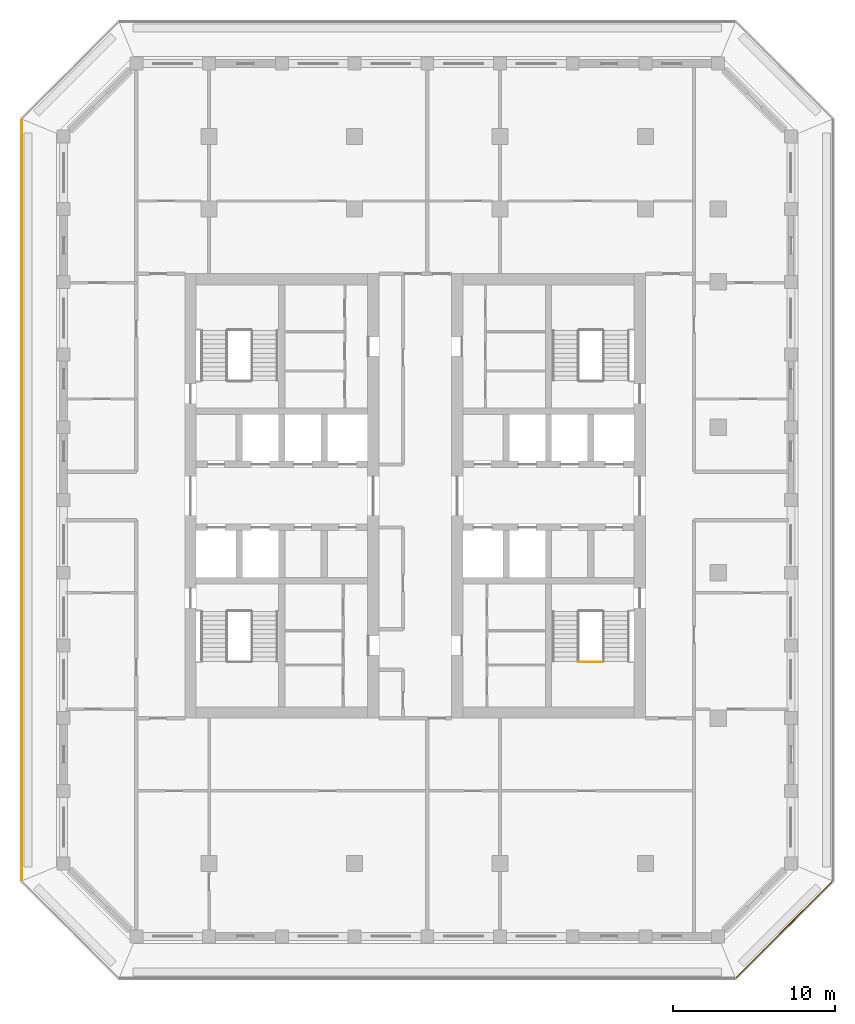
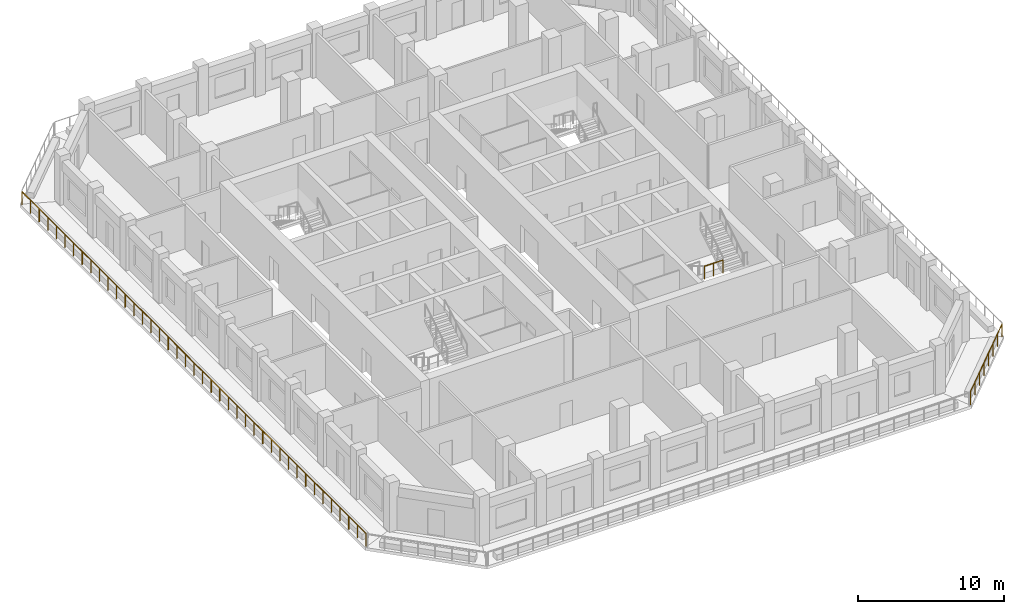
# One storey, part 11 of 17: 3 railings.
"""IFC4 building model written with IfcOpenShell, lengths in metres."""

from ifc_helpers import new_model, si_unit, direction, frame, origin, origin_2d, place, context, subcontext, project, spatial, circle, extrude, material, type_object, element, save


model = new_model("IFC4")

# Units and contexts
model_context = context("Model", 3, precision=1e-05, world=origin(), true_north=direction((0.0, 1.0)))
body_context = subcontext(model_context, "Body", "Model", "MODEL_VIEW")
ifc_project = project(units=[si_unit("LENGTHUNIT", "METRE"), si_unit("AREAUNIT", "SQUARE_METRE"), si_unit("VOLUMEUNIT", "CUBIC_METRE"), si_unit("PLANEANGLEUNIT", "RADIAN"), si_unit("MASSUNIT", "GRAM", prefix="KILO")], contexts=[model_context])

# Site, building, storey
site_placement = place(None, origin())
site = spatial("IfcSite", under=ifc_project, at=site_placement, CompositionType="ELEMENT")
building_placement = place(site_placement, origin())
building = spatial("IfcBuilding", under=site, at=building_placement, Name="Corbel Stack Research Tower", CompositionType="ELEMENT")
storey_placement = place(building_placement, frame((0.0, 0.0, 243.89990234375)))
storey = spatial("IfcBuildingStorey", under=building, at=storey_placement, Name="L55", CompositionType="ELEMENT", Elevation=243.89990234375)

# Railings
ifc_material_1 = material(Name="Steel S355", Category="steel")
railing_type_1 = type_object("IfcRailingType", Name="Stair guard 1100", PredefinedType="GUARDRAIL", material=ifc_material_1)
railing_1_placement = place(storey_placement, frame((13.89990234375, -5.530029296875, 2.050048828125)))
element("IfcRailing", 1, at=railing_1_placement, inside=storey, type_object=railing_type_1, Name="L55 ST-E1 stair guard 2", PredefinedType="GUARDRAIL", context=body_context, shape_type="SweptSolid", body=[
    extrude(circle(Radius=0.02392578125, at=origin_2d()), frame((0.0, 0.0, 1.076171875), z_axis=(1.0, 0.0, 0.0), x_axis=(0.0, 1.0, 0.0)), (0.0, 0.0, 1.0), 1.4501953125),
    extrude(circle(Radius=0.02099609375, at=origin_2d()), origin(), (0.0, 0.0, 1.0), 1.052001953125),
    extrude(circle(Radius=0.02099609375, at=origin_2d()), frame((0.72509765625, 0.0, 0.0)), (0.0, 0.0, 1.0), 1.052001953125),
    extrude(circle(Radius=0.02099609375, at=origin_2d()), frame((1.4501953125, 0.0, 0.0)), (0.0, 0.0, 1.0), 1.052001953125),
])
ifc_material_2 = material(Name="Powder-coated steel guard", Category="steel")
railing_type_2 = type_object("IfcRailingType", Name="Steel and glass guard 1100", PredefinedType="GUARDRAIL", material=ifc_material_2)
railing_2_placement = place(storey_placement, frame((23.627685546875, -25.04931640625, 0.0)))
element("IfcRailing", 2, at=railing_2_placement, inside=storey, type_object=railing_type_2, Name="Loggia guard L55 SE", PredefinedType="GUARDRAIL", context=body_context, shape_type="SweptSolid", body=[
    extrude(circle(Radius=0.02392578125, at=origin_2d()), frame((0.0, 0.0, 1.076171875), z_axis=(0.707106781187, 0.707106781187, 0.0), x_axis=(-0.707106781187, 0.707106781187, 0.0)), (0.0, 0.0, 1.0), 8.37451171875),
    extrude(circle(Radius=0.02099609375, at=origin_2d()), origin(), (0.0, 0.0, 1.0), 1.052001953125),
    extrude(circle(Radius=0.02099609375, at=origin_2d()), frame((0.845947265625, 0.845947265625, 0.0)), (0.0, 0.0, 1.0), 1.052001953125),
    extrude(circle(Radius=0.02099609375, at=origin_2d()), frame((1.69189453125, 1.69189453125, 0.0)), (0.0, 0.0, 1.0), 1.052001953125),
    extrude(circle(Radius=0.02099609375, at=origin_2d()), frame((2.537841796875, 2.537841796875, 0.0)), (0.0, 0.0, 1.0), 1.052001953125),
    extrude(circle(Radius=0.02099609375, at=origin_2d()), frame((3.3837890625, 3.3837890625, 0.0)), (0.0, 0.0, 1.0), 1.052001953125),
    extrude(circle(Radius=0.02099609375, at=origin_2d()), frame((4.229736328125, 4.229736328125, 0.0)), (0.0, 0.0, 1.0), 1.052001953125),
    extrude(circle(Radius=0.02099609375, at=origin_2d()), frame((5.07568359375, 5.07568359375, 0.0)), (0.0, 0.0, 1.0), 1.052001953125),
    extrude(circle(Radius=0.02099609375, at=origin_2d()), frame((5.921630859375, 5.921630859375, 0.0)), (0.0, 0.0, 1.0), 1.052001953125),
])
railing_3_placement = place(storey_placement, frame((-20.60009765625, 28.00537109375, 0.0)))
element("IfcRailing", 3, at=railing_3_placement, inside=storey, type_object=railing_type_2, Name="Loggia guard L55 W", PredefinedType="GUARDRAIL", context=body_context, shape_type="SweptSolid", body=[
    extrude(circle(Radius=0.02392578125, at=origin_2d()), frame((0.0, 0.0, 1.076171875), z_axis=(0.0, -1.0, 0.0), x_axis=(1.0, 0.0, 0.0)), (0.0, 0.0, 1.0), 47.0107421875),
    extrude(circle(Radius=0.02099609375, at=origin_2d()), origin(), (0.0, 0.0, 1.0), 1.052001953125),
    extrude(circle(Radius=0.02099609375, at=origin_2d()), frame((0.0, -1.17529296875, 0.0)), (0.0, 0.0, 1.0), 1.052001953125),
    extrude(circle(Radius=0.02099609375, at=origin_2d()), frame((0.0, -2.3505859375, 0.0)), (0.0, 0.0, 1.0), 1.052001953125),
    extrude(circle(Radius=0.02099609375, at=origin_2d()), frame((0.0, -3.52587890625, 0.0)), (0.0, 0.0, 1.0), 1.052001953125),
    extrude(circle(Radius=0.02099609375, at=origin_2d()), frame((0.0, -4.701171875, 0.0)), (0.0, 0.0, 1.0), 1.052001953125),
    extrude(circle(Radius=0.02099609375, at=origin_2d()), frame((0.0, -5.87646484375, 0.0)), (0.0, 0.0, 1.0), 1.052001953125),
    extrude(circle(Radius=0.02099609375, at=origin_2d()), frame((0.0, -7.051513671875, 0.0)), (0.0, 0.0, 1.0), 1.052001953125),
    extrude(circle(Radius=0.02099609375, at=origin_2d()), frame((0.0, -8.226806640625, 0.0)), (0.0, 0.0, 1.0), 1.052001953125),
    extrude(circle(Radius=0.02099609375, at=origin_2d()), frame((0.0, -9.402099609375, 0.0)), (0.0, 0.0, 1.0), 1.052001953125),
    extrude(circle(Radius=0.02099609375, at=origin_2d()), frame((0.0, -10.577392578125, 0.0)), (0.0, 0.0, 1.0), 1.052001953125),
    extrude(circle(Radius=0.02099609375, at=origin_2d()), frame((0.0, -11.752685546875, 0.0)), (0.0, 0.0, 1.0), 1.052001953125),
    extrude(circle(Radius=0.02099609375, at=origin_2d()), frame((0.0, -12.927978515625, 0.0)), (0.0, 0.0, 1.0), 1.052001953125),
    extrude(circle(Radius=0.02099609375, at=origin_2d()), frame((0.0, -14.103271484375, 0.0)), (0.0, 0.0, 1.0), 1.052001953125),
    extrude(circle(Radius=0.02099609375, at=origin_2d()), frame((0.0, -15.278564453125, 0.0)), (0.0, 0.0, 1.0), 1.052001953125),
    extrude(circle(Radius=0.02099609375, at=origin_2d()), frame((0.0, -16.453857421875, 0.0)), (0.0, 0.0, 1.0), 1.052001953125),
    extrude(circle(Radius=0.02099609375, at=origin_2d()), frame((0.0, -17.62890625, 0.0)), (0.0, 0.0, 1.0), 1.052001953125),
    extrude(circle(Radius=0.02099609375, at=origin_2d()), frame((0.0, -18.80419921875, 0.0)), (0.0, 0.0, 1.0), 1.052001953125),
    extrude(circle(Radius=0.02099609375, at=origin_2d()), frame((0.0, -19.9794921875, 0.0)), (0.0, 0.0, 1.0), 1.052001953125),
    extrude(circle(Radius=0.02099609375, at=origin_2d()), frame((0.0, -21.15478515625, 0.0)), (0.0, 0.0, 1.0), 1.052001953125),
    extrude(circle(Radius=0.02099609375, at=origin_2d()), frame((0.0, -22.330078125, 0.0)), (0.0, 0.0, 1.0), 1.052001953125),
    extrude(circle(Radius=0.02099609375, at=origin_2d()), frame((0.0, -23.50537109375, 0.0)), (0.0, 0.0, 1.0), 1.052001953125),
    extrude(circle(Radius=0.02099609375, at=origin_2d()), frame((0.0, -24.6806640625, 0.0)), (0.0, 0.0, 1.0), 1.052001953125),
    extrude(circle(Radius=0.02099609375, at=origin_2d()), frame((0.0, -25.85595703125, 0.0)), (0.0, 0.0, 1.0), 1.052001953125),
    extrude(circle(Radius=0.02099609375, at=origin_2d()), frame((0.0, -27.03125, 0.0)), (0.0, 0.0, 1.0), 1.052001953125),
    extrude(circle(Radius=0.02099609375, at=origin_2d()), frame((0.0, -28.20654296875, 0.0)), (0.0, 0.0, 1.0), 1.052001953125),
    extrude(circle(Radius=0.02099609375, at=origin_2d()), frame((0.0, -29.3818359375, 0.0)), (0.0, 0.0, 1.0), 1.052001953125),
    extrude(circle(Radius=0.02099609375, at=origin_2d()), frame((0.0, -30.556884765625, 0.0)), (0.0, 0.0, 1.0), 1.052001953125),
    extrude(circle(Radius=0.02099609375, at=origin_2d()), frame((0.0, -31.732177734375, 0.0)), (0.0, 0.0, 1.0), 1.052001953125),
    extrude(circle(Radius=0.02099609375, at=origin_2d()), frame((0.0, -32.907470703125, 0.0)), (0.0, 0.0, 1.0), 1.052001953125),
    extrude(circle(Radius=0.02099609375, at=origin_2d()), frame((0.0, -34.082763671875, 0.0)), (0.0, 0.0, 1.0), 1.052001953125),
    extrude(circle(Radius=0.02099609375, at=origin_2d()), frame((0.0, -35.258056640625, 0.0)), (0.0, 0.0, 1.0), 1.052001953125),
    extrude(circle(Radius=0.02099609375, at=origin_2d()), frame((0.0, -36.433349609375, 0.0)), (0.0, 0.0, 1.0), 1.052001953125),
    extrude(circle(Radius=0.02099609375, at=origin_2d()), frame((0.0, -37.608642578125, 0.0)), (0.0, 0.0, 1.0), 1.052001953125),
    extrude(circle(Radius=0.02099609375, at=origin_2d()), frame((0.0, -38.783935546875, 0.0)), (0.0, 0.0, 1.0), 1.052001953125),
    extrude(circle(Radius=0.02099609375, at=origin_2d()), frame((0.0, -39.959228515625, 0.0)), (0.0, 0.0, 1.0), 1.052001953125),
    extrude(circle(Radius=0.02099609375, at=origin_2d()), frame((0.0, -41.13427734375, 0.0)), (0.0, 0.0, 1.0), 1.052001953125),
    extrude(circle(Radius=0.02099609375, at=origin_2d()), frame((0.0, -42.3095703125, 0.0)), (0.0, 0.0, 1.0), 1.052001953125),
    extrude(circle(Radius=0.02099609375, at=origin_2d()), frame((0.0, -43.48486328125, 0.0)), (0.0, 0.0, 1.0), 1.052001953125),
    extrude(circle(Radius=0.02099609375, at=origin_2d()), frame((0.0, -44.66015625, 0.0)), (0.0, 0.0, 1.0), 1.052001953125),
    extrude(circle(Radius=0.02099609375, at=origin_2d()), frame((0.0, -45.83544921875, 0.0)), (0.0, 0.0, 1.0), 1.052001953125),
    extrude(circle(Radius=0.02099609375, at=origin_2d()), frame((0.0, -47.0107421875, 0.0)), (0.0, 0.0, 1.0), 1.052001953125),
])

save(model, "model.ifc")
